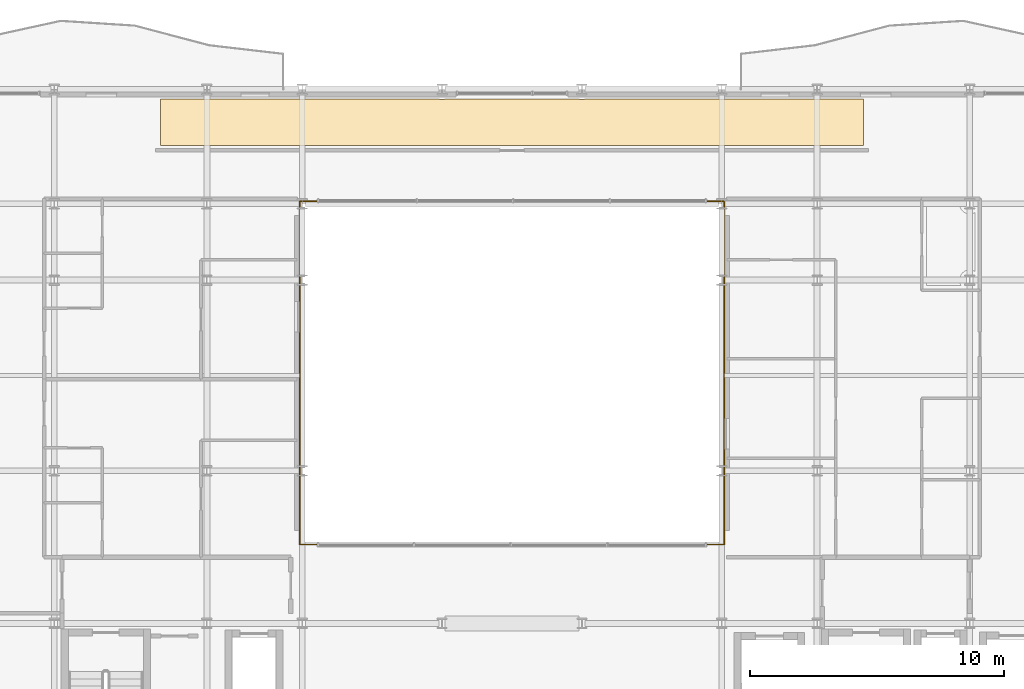
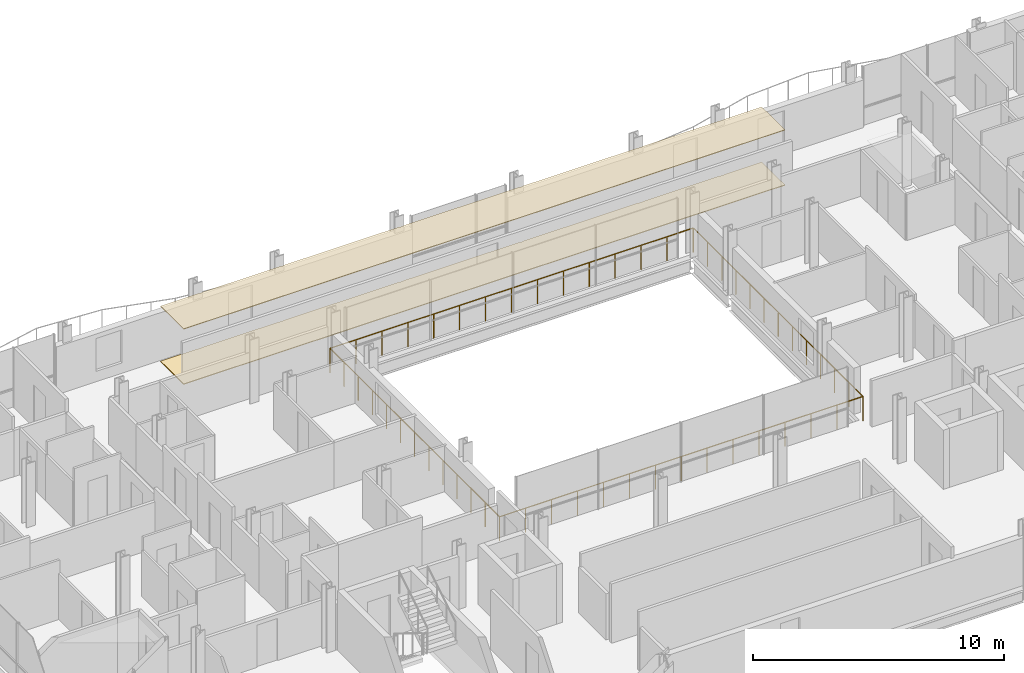
# One storey, part 39 of 41: 2 coverings, 2 railings.
"""IFC4 building model written with IfcOpenShell, lengths in metres."""

from ifc_helpers import new_model, si_unit, direction, frame, origin, origin_2d, place, context, subcontext, project, spatial, polyline, circle, outline, extrude, material, layer, layer_set, type_object, element, save


model = new_model("IFC4")

# Units and contexts
model_context = context("Model", 3, precision=1e-05, world=origin(), true_north=direction((0.0, 1.0)))
body_context = subcontext(model_context, "Body", "Model", "MODEL_VIEW")
ifc_project = project(units=[si_unit("LENGTHUNIT", "METRE"), si_unit("AREAUNIT", "SQUARE_METRE"), si_unit("VOLUMEUNIT", "CUBIC_METRE"), si_unit("PLANEANGLEUNIT", "RADIAN"), si_unit("MASSUNIT", "GRAM", prefix="KILO")], contexts=[model_context])

# Site, building, storey
site_placement = place(None, origin())
site = spatial("IfcSite", under=ifc_project, at=site_placement, CompositionType="ELEMENT")
building_placement = place(site_placement, origin())
building = spatial("IfcBuilding", under=site, at=building_placement, Name="Brevholm Reach", CompositionType="ELEMENT")
storey_placement = place(building_placement, frame((0.0, 0.0, 112.800048828125)))
storey = spatial("IfcBuildingStorey", under=building, at=storey_placement, Name="L33", CompositionType="ELEMENT", Elevation=112.800048828125)

# Coverings
ifc_material_1 = material(Name="Moisture-Resistant Skimmed Gypsum Plasterboard Ceiling", Category="gypsum")
ifc_layer_1 = layer(ifc_material_1, 0.030029296875)
ifc_layer_set_1 = layer_set([ifc_layer_1], Name="Moisture-Resistant Skimmed Gypsum Plasterboard Ceiling")
covering_type_1 = type_object("IfcCoveringType", Name="COV-CLG-GYP", PredefinedType="CEILING", material=ifc_layer_set_1)
covering_1_placement = place(storey_placement, frame((0.0, 0.0, 2.679931640625)))
element("IfcCovering", 1, at=covering_1_placement, inside=storey, type_object=covering_type_1, Name="L33 Suspended Ceiling L33-72", PredefinedType="CEILING", context=body_context, shape_type="SweptSolid", body=[
    extrude(outline(polyline([(16.179931640625, 30.6201171875), (17.876220703125, 30.6201171875), (17.8837890625, 30.6171875), (17.922119140625, 30.607666015625), (17.960693359375, 30.601806640625), (18.0, 30.60009765625), (18.039306640625, 30.601806640625), (18.077880859375, 30.607666015625), (18.1162109375, 30.6171875), (18.123779296875, 30.6201171875), (21.626220703125, 30.6201171875), (21.6337890625, 30.6171875), (21.672119140625, 30.607666015625), (21.710693359375, 30.601806640625), (21.75, 30.60009765625), (21.789306640625, 30.601806640625), (21.827880859375, 30.607666015625), (21.8662109375, 30.6171875), (21.873779296875, 30.6201171875), (27.126220703125, 30.6201171875), (27.1337890625, 30.6171875), (27.172119140625, 30.607666015625), (27.210693359375, 30.601806640625), (27.25, 30.60009765625), (27.289306640625, 30.601806640625), (27.327880859375, 30.607666015625), (27.3662109375, 30.6171875), (27.373779296875, 30.6201171875), (32.626220703125, 30.6201171875), (32.6337890625, 30.6171875), (32.672119140625, 30.607666015625), (32.710693359375, 30.601806640625), (32.75, 30.60009765625), (32.789306640625, 30.601806640625), (32.827880859375, 30.607666015625), (32.8662109375, 30.6171875), (32.873779296875, 30.6201171875), (38.126220703125, 30.6201171875), (38.1337890625, 30.6171875), (38.172119140625, 30.607666015625), (38.210693359375, 30.601806640625), (38.25, 30.60009765625), (38.289306640625, 30.601806640625), (38.327880859375, 30.607666015625), (38.3662109375, 30.6171875), (38.373779296875, 30.6201171875), (41.876220703125, 30.6201171875), (41.8837890625, 30.6171875), (41.922119140625, 30.607666015625), (41.960693359375, 30.601806640625), (42.0, 30.60009765625), (42.039306640625, 30.601806640625), (42.077880859375, 30.607666015625), (42.1162109375, 30.6171875), (42.123779296875, 30.6201171875), (43.820068359375, 30.6201171875), (43.820068359375, 28.783935546875), (16.179931640625, 28.783935546875), (16.179931640625, 30.6201171875)])), origin(), (0.0, 0.0, 1.0), 0.030029296875),
])
ifc_material_2 = material(Name="Honed Portland-Aggregate Resin Terrazzo Flooring", Category="concrete")
ifc_layer_2 = layer(ifc_material_2, 0.031982421875)
ifc_layer_set_2 = layer_set([ifc_layer_2], Name="Honed Portland-Aggregate Resin Terrazzo Flooring")
covering_type_2 = type_object("IfcCoveringType", Name="COV-FLR-TRZ", PredefinedType="FLOORING", material=ifc_layer_set_2)
covering_2_placement = place(storey_placement, origin())
element("IfcCovering", 2, at=covering_2_placement, inside=storey, type_object=covering_type_2, Name="L33 Floor Finish L33-72", PredefinedType="FLOORING", context=body_context, shape_type="SweptSolid", body=[
    extrude(outline(polyline([(16.179931640625, 30.6201171875), (17.876220703125, 30.6201171875), (17.8837890625, 30.6171875), (17.922119140625, 30.607666015625), (17.960693359375, 30.601806640625), (18.0, 30.60009765625), (18.039306640625, 30.601806640625), (18.077880859375, 30.607666015625), (18.1162109375, 30.6171875), (18.123779296875, 30.6201171875), (21.626220703125, 30.6201171875), (21.6337890625, 30.6171875), (21.672119140625, 30.607666015625), (21.710693359375, 30.601806640625), (21.75, 30.60009765625), (21.789306640625, 30.601806640625), (21.827880859375, 30.607666015625), (21.8662109375, 30.6171875), (21.873779296875, 30.6201171875), (27.126220703125, 30.6201171875), (27.1337890625, 30.6171875), (27.172119140625, 30.607666015625), (27.210693359375, 30.601806640625), (27.25, 30.60009765625), (27.289306640625, 30.601806640625), (27.327880859375, 30.607666015625), (27.3662109375, 30.6171875), (27.373779296875, 30.6201171875), (32.626220703125, 30.6201171875), (32.6337890625, 30.6171875), (32.672119140625, 30.607666015625), (32.710693359375, 30.601806640625), (32.75, 30.60009765625), (32.789306640625, 30.601806640625), (32.827880859375, 30.607666015625), (32.8662109375, 30.6171875), (32.873779296875, 30.6201171875), (38.126220703125, 30.6201171875), (38.1337890625, 30.6171875), (38.172119140625, 30.607666015625), (38.210693359375, 30.601806640625), (38.25, 30.60009765625), (38.289306640625, 30.601806640625), (38.327880859375, 30.607666015625), (38.3662109375, 30.6171875), (38.373779296875, 30.6201171875), (41.876220703125, 30.6201171875), (41.8837890625, 30.6171875), (41.922119140625, 30.607666015625), (41.960693359375, 30.601806640625), (42.0, 30.60009765625), (42.039306640625, 30.601806640625), (42.077880859375, 30.607666015625), (42.1162109375, 30.6171875), (42.123779296875, 30.6201171875), (43.820068359375, 30.6201171875), (43.820068359375, 28.783935546875), (16.179931640625, 28.783935546875), (16.179931640625, 30.6201171875)])), origin(), (0.0, 0.0, 1.0), 0.031982421875),
])

# Railings
ifc_material_3 = material(Name="Brushed Stainless Steel EN 1.4401 and Laminated Glass", Category="steel")
railing_type = type_object("IfcRailingType", Name="RAL-TERR-1200", PredefinedType="BALUSTRADE", material=ifc_material_3)
railing_1_placement = place(storey_placement, frame((21.64990234375, 13.10009765625, 0.0)))
element("IfcRailing", 3, at=railing_1_placement, inside=storey, type_object=railing_type, Name="L33 Guard Balustrade RAL-L33-AT-VOID-SW", PredefinedType="BALUSTRADE", context=body_context, shape_type="SweptSolid", body=[
    extrude(circle(Radius=0.02392578125, at=origin_2d()), frame((0.0, 0.0, 1.17578125), z_axis=(1.0, 0.0, 0.0), x_axis=(0.0, 1.0, 0.0)), (0.0, 0.0, 1.0), 16.7001953125),
    extrude(circle(Radius=0.02392578125, at=origin_2d()), frame((16.7001953125, 0.0, 1.17578125), z_axis=(0.0, 1.0, 0.0), x_axis=(-1.0, 0.0, 0.0)), (0.0, 0.0, 1.0), 13.47998046875),
    extrude(circle(Radius=0.02099609375, at=origin_2d()), origin(), (0.0, 0.0, 1.0), 1.15185546875),
    extrude(circle(Radius=0.02099609375, at=origin_2d()), frame((1.19287109375, 0.0, 0.0)), (0.0, 0.0, 1.0), 1.15185546875),
    extrude(circle(Radius=0.02099609375, at=origin_2d()), frame((2.3857421875, 0.0, 0.0)), (0.0, 0.0, 1.0), 1.15185546875),
    extrude(circle(Radius=0.02099609375, at=origin_2d()), frame((3.57861328125, 0.0, 0.0)), (0.0, 0.0, 1.0), 1.15185546875),
    extrude(circle(Radius=0.02099609375, at=origin_2d()), frame((4.771484375, 0.0, 0.0)), (0.0, 0.0, 1.0), 1.15185546875),
    extrude(circle(Radius=0.02099609375, at=origin_2d()), frame((5.96435546875, 0.0, 0.0)), (0.0, 0.0, 1.0), 1.15185546875),
    extrude(circle(Radius=0.02099609375, at=origin_2d()), frame((7.1572265625, 0.0, 0.0)), (0.0, 0.0, 1.0), 1.15185546875),
    extrude(circle(Radius=0.02099609375, at=origin_2d()), frame((8.35009765625, 0.0, 0.0)), (0.0, 0.0, 1.0), 1.15185546875),
    extrude(circle(Radius=0.02099609375, at=origin_2d()), frame((9.54296875, 0.0, 0.0)), (0.0, 0.0, 1.0), 1.15185546875),
    extrude(circle(Radius=0.02099609375, at=origin_2d()), frame((10.73583984375, 0.0, 0.0)), (0.0, 0.0, 1.0), 1.15185546875),
    extrude(circle(Radius=0.02099609375, at=origin_2d()), frame((11.9287109375, 0.0, 0.0)), (0.0, 0.0, 1.0), 1.15185546875),
    extrude(circle(Radius=0.02099609375, at=origin_2d()), frame((13.12158203125, 0.0, 0.0)), (0.0, 0.0, 1.0), 1.15185546875),
    extrude(circle(Radius=0.02099609375, at=origin_2d()), frame((14.314453125, 0.0, 0.0)), (0.0, 0.0, 1.0), 1.15185546875),
    extrude(circle(Radius=0.02099609375, at=origin_2d()), frame((15.50732421875, 0.0, 0.0)), (0.0, 0.0, 1.0), 1.15185546875),
    extrude(circle(Radius=0.02099609375, at=origin_2d()), frame((16.7001953125, 0.0, 0.0)), (0.0, 0.0, 1.0), 1.15185546875),
    extrude(circle(Radius=0.02099609375, at=origin_2d()), frame((16.7001953125, 1.123291015625, 0.0)), (0.0, 0.0, 1.0), 1.15185546875),
    extrude(circle(Radius=0.02099609375, at=origin_2d()), frame((16.7001953125, 2.24658203125, 0.0)), (0.0, 0.0, 1.0), 1.15185546875),
    extrude(circle(Radius=0.02099609375, at=origin_2d()), frame((16.7001953125, 3.3701171875, 0.0)), (0.0, 0.0, 1.0), 1.15185546875),
    extrude(circle(Radius=0.02099609375, at=origin_2d()), frame((16.7001953125, 4.493408203125, 0.0)), (0.0, 0.0, 1.0), 1.15185546875),
    extrude(circle(Radius=0.02099609375, at=origin_2d()), frame((16.7001953125, 5.61669921875, 0.0)), (0.0, 0.0, 1.0), 1.15185546875),
    extrude(circle(Radius=0.02099609375, at=origin_2d()), frame((16.7001953125, 6.739990234375, 0.0)), (0.0, 0.0, 1.0), 1.15185546875),
    extrude(circle(Radius=0.02099609375, at=origin_2d()), frame((16.7001953125, 7.86328125, 0.0)), (0.0, 0.0, 1.0), 1.15185546875),
    extrude(circle(Radius=0.02099609375, at=origin_2d()), frame((16.7001953125, 8.986572265625, 0.0)), (0.0, 0.0, 1.0), 1.15185546875),
    extrude(circle(Radius=0.02099609375, at=origin_2d()), frame((16.7001953125, 10.10986328125, 0.0)), (0.0, 0.0, 1.0), 1.15185546875),
    extrude(circle(Radius=0.02099609375, at=origin_2d()), frame((16.7001953125, 11.2333984375, 0.0)), (0.0, 0.0, 1.0), 1.15185546875),
    extrude(circle(Radius=0.02099609375, at=origin_2d()), frame((16.7001953125, 12.356689453125, 0.0)), (0.0, 0.0, 1.0), 1.15185546875),
    extrude(circle(Radius=0.02099609375, at=origin_2d()), frame((16.7001953125, 13.47998046875, 0.0)), (0.0, 0.0, 1.0), 1.15185546875),
])
railing_2_placement = place(storey_placement, frame((38.330078125, 26.60009765625, 0.0)))
element("IfcRailing", 4, at=railing_2_placement, inside=storey, type_object=railing_type, Name="L33 Guard Balustrade RAL-L33-AT-VOID-NE", PredefinedType="BALUSTRADE", context=body_context, shape_type="SweptSolid", body=[
    extrude(circle(Radius=0.02392578125, at=origin_2d()), frame((0.0, 0.0, 1.17578125), z_axis=(-1.0, 0.0, 0.0), x_axis=(0.0, -1.0, 0.0)), (0.0, 0.0, 1.0), 16.68017578125),
    extrude(circle(Radius=0.02392578125, at=origin_2d()), frame((-16.68017578125, 0.0, 1.17578125), z_axis=(0.0, -1.0, 0.0), x_axis=(1.0, 0.0, 0.0)), (0.0, 0.0, 1.0), 13.47998046875),
    extrude(circle(Radius=0.02099609375, at=origin_2d()), origin(), (0.0, 0.0, 1.0), 1.15185546875),
    extrude(circle(Radius=0.02099609375, at=origin_2d()), frame((-1.19140625, 0.0, 0.0)), (0.0, 0.0, 1.0), 1.15185546875),
    extrude(circle(Radius=0.02099609375, at=origin_2d()), frame((-2.3828125, 0.0, 0.0)), (0.0, 0.0, 1.0), 1.15185546875),
    extrude(circle(Radius=0.02099609375, at=origin_2d()), frame((-3.57421875, 0.0, 0.0)), (0.0, 0.0, 1.0), 1.15185546875),
    extrude(circle(Radius=0.02099609375, at=origin_2d()), frame((-4.765869140625, 0.0, 0.0)), (0.0, 0.0, 1.0), 1.15185546875),
    extrude(circle(Radius=0.02099609375, at=origin_2d()), frame((-5.957275390625, 0.0, 0.0)), (0.0, 0.0, 1.0), 1.15185546875),
    extrude(circle(Radius=0.02099609375, at=origin_2d()), frame((-7.148681640625, 0.0, 0.0)), (0.0, 0.0, 1.0), 1.15185546875),
    extrude(circle(Radius=0.02099609375, at=origin_2d()), frame((-8.340087890625, 0.0, 0.0)), (0.0, 0.0, 1.0), 1.15185546875),
    extrude(circle(Radius=0.02099609375, at=origin_2d()), frame((-9.531494140625, 0.0, 0.0)), (0.0, 0.0, 1.0), 1.15185546875),
    extrude(circle(Radius=0.02099609375, at=origin_2d()), frame((-10.722900390625, 0.0, 0.0)), (0.0, 0.0, 1.0), 1.15185546875),
    extrude(circle(Radius=0.02099609375, at=origin_2d()), frame((-11.914306640625, 0.0, 0.0)), (0.0, 0.0, 1.0), 1.15185546875),
    extrude(circle(Radius=0.02099609375, at=origin_2d()), frame((-13.10595703125, 0.0, 0.0)), (0.0, 0.0, 1.0), 1.15185546875),
    extrude(circle(Radius=0.02099609375, at=origin_2d()), frame((-14.29736328125, 0.0, 0.0)), (0.0, 0.0, 1.0), 1.15185546875),
    extrude(circle(Radius=0.02099609375, at=origin_2d()), frame((-15.48876953125, 0.0, 0.0)), (0.0, 0.0, 1.0), 1.15185546875),
    extrude(circle(Radius=0.02099609375, at=origin_2d()), frame((-16.68017578125, 0.0, 0.0)), (0.0, 0.0, 1.0), 1.15185546875),
    extrude(circle(Radius=0.02099609375, at=origin_2d()), frame((-16.68017578125, -1.123291015625, 0.0)), (0.0, 0.0, 1.0), 1.15185546875),
    extrude(circle(Radius=0.02099609375, at=origin_2d()), frame((-16.68017578125, -2.24658203125, 0.0)), (0.0, 0.0, 1.0), 1.15185546875),
    extrude(circle(Radius=0.02099609375, at=origin_2d()), frame((-16.68017578125, -3.3701171875, 0.0)), (0.0, 0.0, 1.0), 1.15185546875),
    extrude(circle(Radius=0.02099609375, at=origin_2d()), frame((-16.68017578125, -4.493408203125, 0.0)), (0.0, 0.0, 1.0), 1.15185546875),
    extrude(circle(Radius=0.02099609375, at=origin_2d()), frame((-16.68017578125, -5.61669921875, 0.0)), (0.0, 0.0, 1.0), 1.15185546875),
    extrude(circle(Radius=0.02099609375, at=origin_2d()), frame((-16.68017578125, -6.739990234375, 0.0)), (0.0, 0.0, 1.0), 1.15185546875),
    extrude(circle(Radius=0.02099609375, at=origin_2d()), frame((-16.68017578125, -7.86328125, 0.0)), (0.0, 0.0, 1.0), 1.15185546875),
    extrude(circle(Radius=0.02099609375, at=origin_2d()), frame((-16.68017578125, -8.986572265625, 0.0)), (0.0, 0.0, 1.0), 1.15185546875),
    extrude(circle(Radius=0.02099609375, at=origin_2d()), frame((-16.68017578125, -10.10986328125, 0.0)), (0.0, 0.0, 1.0), 1.15185546875),
    extrude(circle(Radius=0.02099609375, at=origin_2d()), frame((-16.68017578125, -11.2333984375, 0.0)), (0.0, 0.0, 1.0), 1.15185546875),
    extrude(circle(Radius=0.02099609375, at=origin_2d()), frame((-16.68017578125, -12.356689453125, 0.0)), (0.0, 0.0, 1.0), 1.15185546875),
    extrude(circle(Radius=0.02099609375, at=origin_2d()), frame((-16.68017578125, -13.47998046875, 0.0)), (0.0, 0.0, 1.0), 1.15185546875),
])

save(model, "model.ifc")
